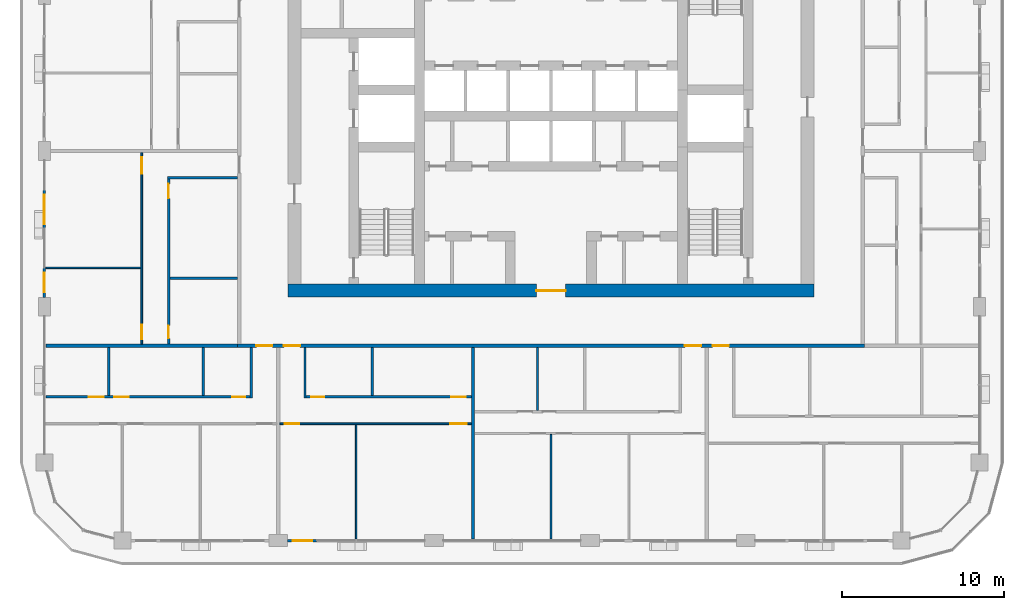
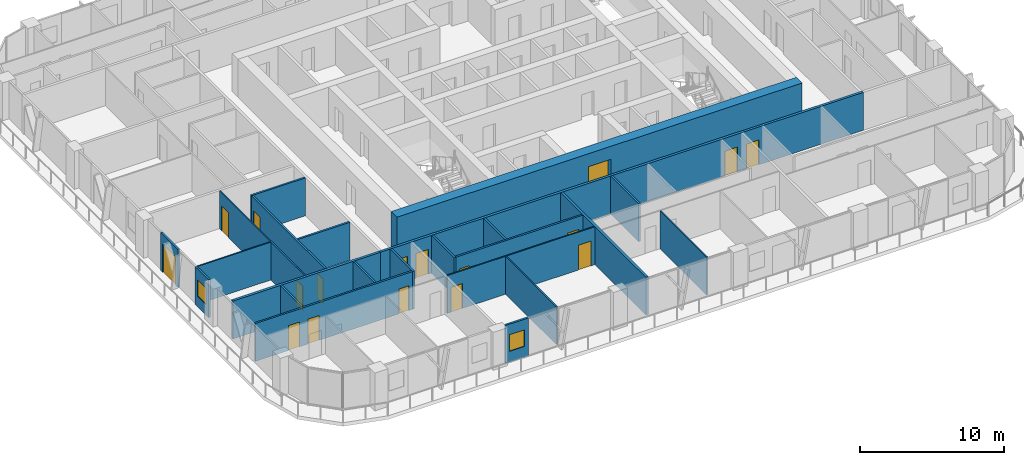
# One storey, part 9 of 22: 23 walls, 17 doors, 2 windows, 19 openings.
"""IFC4 building model written with IfcOpenShell, lengths in metres."""

from ifc_helpers import new_model, si_unit, direction, frame, frame_2d, origin, place, context, subcontext, project, spatial, rectangle, extrude, material, layer, layer_set, type_object, element, fill, save


model = new_model("IFC4")

# Units and contexts
model_context = context("Model", 3, precision=1e-05, world=origin(), true_north=direction((0.0, 1.0)))
body_context = subcontext(model_context, "Body", "Model", "MODEL_VIEW")
ifc_project = project(units=[si_unit("LENGTHUNIT", "METRE"), si_unit("AREAUNIT", "SQUARE_METRE"), si_unit("VOLUMEUNIT", "CUBIC_METRE"), si_unit("PLANEANGLEUNIT", "RADIAN"), si_unit("MASSUNIT", "GRAM", prefix="KILO")], contexts=[model_context])

# Site, building, storey
site_placement = place(None, origin())
site = spatial("IfcSite", under=ifc_project, at=site_placement, CompositionType="ELEMENT")
building_placement = place(site_placement, origin())
building = spatial("IfcBuilding", under=site, at=building_placement, Name="Madar Terraces", CompositionType="ELEMENT")
storey_placement = place(building_placement, frame((0.0, 0.0, 156.0)))
storey = spatial("IfcBuildingStorey", under=building, at=storey_placement, Name="L40", CompositionType="ELEMENT", Elevation=156.0)

# Wall, opening, door
ifc_material_1 = material(Name="Concrete C70/85", Category="concrete")
ifc_layer_1 = layer(ifc_material_1, 0.800048828125)
ifc_layer_set_1 = layer_set([ifc_layer_1], Name="Concrete C70/85 (CRW3 RC wall 800)")
wall_type_1 = type_object("IfcWallType", Name="CRW3 RC wall 800", PredefinedType="SHEAR", material=ifc_layer_set_1)
wall_1_placement = place(storey_placement, frame((15.0, 15.39990234375, 0.0), z_axis=(0.0, 0.0, 1.0), x_axis=(1.0, 0.0, 0.0)))
wall_1 = element("IfcWall", 1, at=wall_1_placement, inside=storey, type_object=wall_type_1, Name="CORE OUTER WALL", PredefinedType="SHEAR", context=body_context, shape_type="SweptSolid", body=[
    extrude(rectangle(XDim=32.39990234375, YDim=0.800048828125, at=frame_2d((16.199951171875, 0.0))), origin(), (0.0, 0.0, 1.0), 3.199951171875),
])
opening_1_placement = place(wall_1_placement, frame((15.300048828125, 0.0, 0.0)))
opening_1 = element("IfcOpeningElement", 2, at=opening_1_placement, cuts=wall_1, Name="Opening KD1", PredefinedType="OPENING", context=body_context, shape_type="SweptSolid", body=[
    extrude(rectangle(XDim=1.800048828125, YDim=2.10009765625, at=frame_2d((0.89990234375, 1.050048828125))), frame((0.0, 0.409912109375, 0.0), z_axis=(0.0, -1.0, 0.0), x_axis=(1.0, 0.0, 0.0)), (0.0, 0.0, 1.0), 0.820068359375),
])
ifc_material_2 = material(Name="Steel door leaf", Category="steel")
door_type_1 = type_object("IfcDoorType", Name="Lobby door pair 1800 x 2100", OperationType="DOUBLE_DOOR_SINGLE_SWING", PredefinedType="DOOR", material=ifc_material_2)
door_1_placement = place(opening_1_placement, frame((1.800048828125, 0.0, 0.0), z_axis=(0.0, 0.0, 1.0), x_axis=(-1.0, 0.0, 0.0)))
door_1 = element("IfcDoor", 3, at=door_1_placement, inside=storey, type_object=door_type_1, Name="LIFT LOBBY DOOR", OperationType="DOUBLE_DOOR_SINGLE_SWING", OverallHeight=2.10009765625, OverallWidth=1.800048828125, PredefinedType="DOOR", context=body_context, shape_type="SweptSolid", body=[
    extrude(rectangle(XDim=1.800048828125, YDim=2.10009765625, at=frame_2d((0.89990234375, 1.050048828125))), frame((0.0, 0.02490234375, 0.0), z_axis=(0.0, -1.0, 0.0), x_axis=(1.0, 0.0, 0.0)), (0.0, 0.0, 1.0), 0.050048828125),
])
fill(opening_1, door_1)

# Wall, opening, window
ifc_material_3 = material(Name="Aluminium composite panel, black, over insulated backing", Category="aluminium")
ifc_layer_2 = layer(ifc_material_3, 0.14990234375)
ifc_layer_set_2 = layer_set([ifc_layer_2], Name="Facade bay panel 150")
wall_type_2 = type_object("IfcWallType", Name="Facade bay panel 150", PredefinedType="SOLIDWALL", material=ifc_layer_set_2)
wall_2_placement = place(storey_placement, frame((14.97509765625, 0.0, 0.0), z_axis=(0.0, 0.0, 1.0), x_axis=(1.0, 0.0, 0.0)))
wall_2 = element("IfcWall", 4, at=wall_2_placement, inside=storey, type_object=wall_type_2, Name="Facade bay panel", PredefinedType="SOLIDWALL", context=body_context, shape_type="SweptSolid", body=[
    extrude(rectangle(XDim=1.824951171875, YDim=0.14990234375, at=frame_2d((0.91259765625, 0.0))), origin(), (0.0, 0.0, 1.0), 3.199951171875),
])
opening_2_placement = place(wall_2_placement, frame((0.3125, 0.0, 0.89990234375)))
opening_2 = element("IfcOpeningElement", 5, at=opening_2_placement, cuts=wall_2, Name="Opening W1", PredefinedType="OPENING", context=body_context, shape_type="SweptSolid", body=[
    extrude(rectangle(XDim=1.199951171875, YDim=1.39990234375, at=frame_2d((0.60009765625, 0.699951171875))), frame((0.0, 0.0849609375, 0.0), z_axis=(0.0, -1.0, 0.0), x_axis=(1.0, 0.0, 0.0)), (0.0, 0.0, 1.0), 0.169921875),
])
ifc_material_4 = material(Name="Glass, clear, with black aluminium frame", Category="aluminium")
window_type = type_object("IfcWindowType", Name="Vent window 1200 x 1400", PartitioningType="SINGLE_PANEL", PredefinedType="WINDOW", material=ifc_material_4)
window_1_placement = place(opening_2_placement, origin())
window_1 = element("IfcWindow", 6, at=window_1_placement, inside=storey, type_object=window_type, Name="Operable vent window", OverallHeight=1.39990234375, OverallWidth=1.199951171875, PartitioningType="SINGLE_PANEL", PredefinedType="WINDOW", context=body_context, shape_type="SweptSolid", body=[
    extrude(rectangle(XDim=1.199951171875, YDim=1.39990234375, at=frame_2d((0.60009765625, 0.699951171875))), frame((0.0, 0.030029296875, 0.0), z_axis=(0.0, -1.0, 0.0), x_axis=(1.0, 0.0, 0.0)), (0.0, 0.0, 1.0), 0.06005859375),
])
fill(opening_2, window_1)

# Wall, opening, door
wall_3_placement = place(storey_placement, frame((0.0, 21.60009765625, 0.0), z_axis=(0.0, 0.0, 1.0), x_axis=(0.0, -1.0, 0.0)))
wall_3 = element("IfcWall", 7, at=wall_3_placement, inside=storey, type_object=wall_type_2, Name="Facade bay panel", PredefinedType="SOLIDWALL", context=body_context, shape_type="SweptSolid", body=[
    extrude(rectangle(XDim=2.400146484375, YDim=0.14990234375, at=frame_2d((1.2001953125, 0.0))), origin(), (0.0, 0.0, 1.0), 3.199951171875),
])
opening_3_placement = place(wall_3_placement, frame((0.300048828125, 0.0, 0.0)))
opening_3 = element("IfcOpeningElement", 8, at=opening_3_placement, cuts=wall_3, Name="Opening ED1", PredefinedType="OPENING", context=body_context, shape_type="SweptSolid", body=[
    extrude(rectangle(XDim=1.800048828125, YDim=2.39990234375, at=frame_2d((0.89990234375, 1.199951171875))), frame((0.0, 0.0849609375, 0.0), z_axis=(0.0, -1.0, 0.0), x_axis=(1.0, 0.0, 0.0)), (0.0, 0.0, 1.0), 0.169921875),
])
ifc_material_5 = material(Name="Glass, clear, with black aluminium frame", Category="aluminium")
door_type_2 = type_object("IfcDoorType", Name="Balcony and terrace sliding door 1800 x 2400", OperationType="SLIDING_TO_LEFT", PredefinedType="DOOR", material=ifc_material_5)
door_2_placement = place(opening_3_placement, origin())
door_2 = element("IfcDoor", 9, at=door_2_placement, inside=storey, type_object=door_type_2, Name="Balcony door", OperationType="SLIDING_TO_LEFT", OverallHeight=2.39990234375, OverallWidth=1.800048828125, PredefinedType="DOOR", context=body_context, shape_type="SweptSolid", body=[
    extrude(rectangle(XDim=1.800048828125, YDim=2.39990234375, at=frame_2d((0.89990234375, 1.199951171875))), frame((0.0, 0.02490234375, 0.0), z_axis=(0.0, -1.0, 0.0), x_axis=(1.0, 0.0, 0.0)), (0.0, 0.0, 1.0), 0.050048828125),
])
fill(opening_3, door_2)

# Wall, opening, window
wall_4_placement = place(storey_placement, frame((0.0, 16.800048828125, 0.0), z_axis=(0.0, 0.0, 1.0), x_axis=(0.0, -1.0, 0.0)))
wall_4 = element("IfcWall", 10, at=wall_4_placement, inside=storey, type_object=wall_type_2, Name="Facade bay panel", PredefinedType="SOLIDWALL", context=body_context, shape_type="SweptSolid", body=[
    extrude(rectangle(XDim=1.824951171875, YDim=0.14990234375, at=frame_2d((0.91259765625, 0.0))), origin(), (0.0, 0.0, 1.0), 3.199951171875),
])
opening_4_placement = place(wall_4_placement, frame((0.3125, 0.0, 0.89990234375)))
opening_4 = element("IfcOpeningElement", 11, at=opening_4_placement, cuts=wall_4, Name="Opening W1", PredefinedType="OPENING", context=body_context, shape_type="SweptSolid", body=[
    extrude(rectangle(XDim=1.199951171875, YDim=1.39990234375, at=frame_2d((0.60009765625, 0.699951171875))), frame((0.0, 0.0849609375, 0.0), z_axis=(0.0, -1.0, 0.0), x_axis=(1.0, 0.0, 0.0)), (0.0, 0.0, 1.0), 0.169921875),
])
window_2_placement = place(opening_4_placement, origin())
window_2 = element("IfcWindow", 12, at=window_2_placement, inside=storey, type_object=window_type, Name="Operable vent window", OverallHeight=1.39990234375, OverallWidth=1.199951171875, PartitioningType="SINGLE_PANEL", PredefinedType="WINDOW", context=body_context, shape_type="SweptSolid", body=[
    extrude(rectangle(XDim=1.199951171875, YDim=1.39990234375, at=frame_2d((0.60009765625, 0.699951171875))), frame((0.0, 0.030029296875, 0.0), z_axis=(0.0, -1.0, 0.0), x_axis=(1.0, 0.0, 0.0)), (0.0, 0.0, 1.0), 0.06005859375),
])
fill(opening_4, window_2)

# Wall
ifc_material_6 = material(Name="Gypsum board on steel studs", Category="steel")
ifc_layer_3 = layer(ifc_material_6, 0.10009765625)
ifc_layer_set_3 = layer_set([ifc_layer_3], Name="Flat partition 100")
wall_type_3 = type_object("IfcWallType", Name="Flat partition 100", PredefinedType="PARTITIONING", material=ifc_layer_set_3)
wall_5_placement = place(storey_placement, frame((19.199951171875, 7.14990234375, 0.0), z_axis=(0.0, 0.0, 1.0), x_axis=(0.0, -1.0, 0.0)))
element("IfcWall", 13, at=wall_5_placement, inside=storey, type_object=wall_type_3, Name="Flat partition 100", PredefinedType="PARTITIONING", context=body_context, shape_type="SweptSolid", body=[
    extrude(rectangle(XDim=7.0498046875, YDim=0.10009765625, at=frame_2d((3.52490234375, 0.0))), origin(), (0.0, 0.0, 1.0), 3.199951171875),
])

# Wall, openings, doors
wall_6_placement = place(storey_placement, frame((26.300048828125, 7.199951171875, 0.0), z_axis=(0.0, 0.0, 1.0), x_axis=(-1.0, 0.0, 0.0)))
wall_6 = element("IfcWall", 14, at=wall_6_placement, inside=storey, type_object=wall_type_3, Name="Flat partition 100", PredefinedType="PARTITIONING", context=body_context, shape_type="SweptSolid", body=[
    extrude(rectangle(XDim=11.800048828125, YDim=0.10009765625, at=frame_2d((5.89990234375, 0.0))), origin(), (0.0, 0.0, 1.0), 3.199951171875),
])
opening_5_placement = place(wall_6_placement, frame((10.60009765625, 0.0, 0.0)))
opening_5 = element("IfcOpeningElement", 15, at=opening_5_placement, cuts=wall_6, Name="Opening D2", PredefinedType="OPENING", context=body_context, shape_type="SweptSolid", body=[
    extrude(rectangle(XDim=0.89990234375, YDim=2.10009765625, at=frame_2d((0.449951171875, 1.050048828125))), frame((0.0, 0.06005859375, 0.0), z_axis=(0.0, -1.0, 0.0), x_axis=(1.0, 0.0, 0.0)), (0.0, 0.0, 1.0), 0.1201171875),
])
opening_6_placement = place(wall_6_placement, frame((0.300048828125, 0.0, 0.0)))
opening_6 = element("IfcOpeningElement", 16, at=opening_6_placement, cuts=wall_6, Name="Opening D3", PredefinedType="OPENING", context=body_context, shape_type="SweptSolid", body=[
    extrude(rectangle(XDim=1.0, YDim=2.10009765625, at=frame_2d((0.5, 1.050048828125))), frame((0.0, 0.06005859375, 0.0), z_axis=(0.0, -1.0, 0.0), x_axis=(1.0, 0.0, 0.0)), (0.0, 0.0, 1.0), 0.1201171875),
])
ifc_material_7 = material(Name="Timber door leaf", Category="wood")
door_type_3 = type_object("IfcDoorType", Name="Flat living room door 1000", OperationType="NOTDEFINED", PredefinedType="DOOR", material=ifc_material_7)
door_3_placement = place(opening_6_placement, origin())
door_3 = element("IfcDoor", 17, at=door_3_placement, inside=storey, type_object=door_type_3, Name="Flat living room door 1000", OperationType="SINGLE_SWING_LEFT", OverallHeight=2.10009765625, OverallWidth=1.0, PredefinedType="DOOR", context=body_context, shape_type="SweptSolid", body=[
    extrude(rectangle(XDim=1.0, YDim=2.10009765625, at=frame_2d((0.5, 1.050048828125))), frame((0.0, 0.02490234375, 0.0), z_axis=(0.0, -1.0, 0.0), x_axis=(1.0, 0.0, 0.0)), (0.0, 0.0, 1.0), 0.050048828125),
])
fill(opening_6, door_3)
ifc_material_8 = material(Name="Timber door leaf", Category="wood")
door_type_4 = type_object("IfcDoorType", Name="Flat room door 900", OperationType="NOTDEFINED", PredefinedType="DOOR", material=ifc_material_8)
door_4_placement = place(opening_5_placement, origin())
door_4 = element("IfcDoor", 18, at=door_4_placement, inside=storey, type_object=door_type_4, Name="Flat room door 900", OperationType="SINGLE_SWING_RIGHT", OverallHeight=2.10009765625, OverallWidth=0.89990234375, PredefinedType="DOOR", context=body_context, shape_type="SweptSolid", body=[
    extrude(rectangle(XDim=0.89990234375, YDim=2.10009765625, at=frame_2d((0.449951171875, 1.050048828125))), frame((0.0, 0.02490234375, 0.0), z_axis=(0.0, -1.0, 0.0), x_axis=(1.0, 0.0, 0.0)), (0.0, 0.0, 1.0), 0.050048828125),
])
fill(opening_5, door_4)

# Walls
wall_7_placement = place(storey_placement, frame((31.199951171875, 6.550048828125, 0.0), z_axis=(0.0, 0.0, 1.0), x_axis=(0.0, -1.0, 0.0)))
element("IfcWall", 19, at=wall_7_placement, inside=storey, type_object=wall_type_3, Name="Flat partition 100", PredefinedType="PARTITIONING", context=body_context, shape_type="SweptSolid", body=[
    extrude(rectangle(XDim=6.449951171875, YDim=0.10009765625, at=frame_2d((3.22509765625, 0.0))), origin(), (0.0, 0.0, 1.0), 3.199951171875),
])
wall_8_placement = place(storey_placement, frame((5.949951171875, 16.800048828125, 0.0), z_axis=(0.0, 0.0, 1.0), x_axis=(-1.0, 0.0, 0.0)))
element("IfcWall", 20, at=wall_8_placement, inside=storey, type_object=wall_type_3, Name="Flat partition 100", PredefinedType="PARTITIONING", context=body_context, shape_type="SweptSolid", body=[
    extrude(rectangle(XDim=5.849853515625, YDim=0.10009765625, at=frame_2d((2.9248046875, 0.0))), origin(), (0.0, 0.0, 1.0), 3.199951171875),
])

# Wall, openings, doors
wall_9_placement = place(storey_placement, frame((6.0, 12.10009765625, 0.0), z_axis=(0.0, 0.0, 1.0), x_axis=(0.0, 1.0, 0.0)))
wall_9 = element("IfcWall", 21, at=wall_9_placement, inside=storey, type_object=wall_type_3, Name="Flat partition 100", PredefinedType="PARTITIONING", context=body_context, shape_type="SweptSolid", body=[
    extrude(rectangle(XDim=11.7998046875, YDim=0.10009765625, at=frame_2d((5.89990234375, 0.0))), origin(), (0.0, 0.0, 1.0), 3.199951171875),
])
opening_7_placement = place(wall_9_placement, frame((10.5, 0.0, 0.0)))
opening_7 = element("IfcOpeningElement", 22, at=opening_7_placement, cuts=wall_9, Name="Opening D3", PredefinedType="OPENING", context=body_context, shape_type="SweptSolid", body=[
    extrude(rectangle(XDim=1.0, YDim=2.10009765625, at=frame_2d((0.5, 1.050048828125))), frame((0.0, 0.06005859375, 0.0), z_axis=(0.0, -1.0, 0.0), x_axis=(1.0, 0.0, 0.0)), (0.0, 0.0, 1.0), 0.1201171875),
])
opening_8_placement = place(wall_9_placement, frame((0.300048828125, 0.0, 0.0)))
opening_8 = element("IfcOpeningElement", 23, at=opening_8_placement, cuts=wall_9, Name="Opening D2", PredefinedType="OPENING", context=body_context, shape_type="SweptSolid", body=[
    extrude(rectangle(XDim=0.89990234375, YDim=2.10009765625, at=frame_2d((0.449951171875, 1.050048828125))), frame((0.0, 0.06005859375, 0.0), z_axis=(0.0, -1.0, 0.0), x_axis=(1.0, 0.0, 0.0)), (0.0, 0.0, 1.0), 0.1201171875),
])
door_5_placement = place(opening_7_placement, origin())
door_5 = element("IfcDoor", 24, at=door_5_placement, inside=storey, type_object=door_type_3, Name="Flat living room door 1000", OperationType="SINGLE_SWING_RIGHT", OverallHeight=2.10009765625, OverallWidth=1.0, PredefinedType="DOOR", context=body_context, shape_type="SweptSolid", body=[
    extrude(rectangle(XDim=1.0, YDim=2.10009765625, at=frame_2d((0.5, 1.050048828125))), frame((0.0, 0.02490234375, 0.0), z_axis=(0.0, -1.0, 0.0), x_axis=(1.0, 0.0, 0.0)), (0.0, 0.0, 1.0), 0.050048828125),
])
fill(opening_7, door_5)
door_6_placement = place(opening_8_placement, origin())
door_6 = element("IfcDoor", 25, at=door_6_placement, inside=storey, type_object=door_type_4, Name="Flat room door 900", OperationType="SINGLE_SWING_LEFT", OverallHeight=2.10009765625, OverallWidth=0.89990234375, PredefinedType="DOOR", context=body_context, shape_type="SweptSolid", body=[
    extrude(rectangle(XDim=0.89990234375, YDim=2.10009765625, at=frame_2d((0.449951171875, 1.050048828125))), frame((0.0, 0.02490234375, 0.0), z_axis=(0.0, -1.0, 0.0), x_axis=(1.0, 0.0, 0.0)), (0.0, 0.0, 1.0), 0.050048828125),
])
fill(opening_8, door_6)

ifc_material_9 = material(Name="Lightweight blockwork", Category="masonry")
ifc_layer_4 = layer(ifc_material_9, 0.199951171875)
ifc_layer_set_4 = layer_set([ifc_layer_4], Name="Flat party and entrance wall 200")
wall_type_4 = type_object("IfcWallType", Name="Flat party and entrance wall 200", PredefinedType="PARTITIONING", material=ifc_layer_set_4)
wall_10_placement = place(storey_placement, frame((50.5, 12.0, 0.0), z_axis=(0.0, 0.0, 1.0), x_axis=(-1.0, 0.0, 0.0)))
wall_10 = element("IfcWall", 26, at=wall_10_placement, inside=storey, type_object=wall_type_4, Name="Flat party and entrance wall 200", PredefinedType="PARTITIONING", context=body_context, shape_type="SweptSolid", body=[
    extrude(rectangle(XDim=38.60009765625, YDim=0.199951171875, at=frame_2d((19.300048828125, 0.0))), origin(), (0.0, 0.0, 1.0), 3.199951171875),
])
opening_9_placement = place(wall_10_placement, frame((36.449951171875, 0.0, 0.0)))
opening_9 = element("IfcOpeningElement", 27, at=opening_9_placement, cuts=wall_10, Name="Opening D1", PredefinedType="OPENING", context=body_context, shape_type="SweptSolid", body=[
    extrude(rectangle(XDim=1.0, YDim=2.10009765625, at=frame_2d((0.5, 1.050048828125))), frame((0.0, 0.10986328125, 0.0), z_axis=(0.0, -1.0, 0.0), x_axis=(1.0, 0.0, 0.0)), (0.0, 0.0, 1.0), 0.219970703125),
])
opening_10_placement = place(wall_10_placement, frame((34.75, 0.0, 0.0)))
opening_10 = element("IfcOpeningElement", 28, at=opening_10_placement, cuts=wall_10, Name="Opening D1", PredefinedType="OPENING", context=body_context, shape_type="SweptSolid", body=[
    extrude(rectangle(XDim=1.0, YDim=2.10009765625, at=frame_2d((0.5, 1.050048828125))), frame((0.0, 0.10986328125, 0.0), z_axis=(0.0, -1.0, 0.0), x_axis=(1.0, 0.0, 0.0)), (0.0, 0.0, 1.0), 0.219970703125),
])
opening_11_placement = place(wall_10_placement, frame((10.050048828125, 0.0, 0.0)))
opening_11 = element("IfcOpeningElement", 29, at=opening_11_placement, cuts=wall_10, Name="Opening D1", PredefinedType="OPENING", context=body_context, shape_type="SweptSolid", body=[
    extrude(rectangle(XDim=1.0, YDim=2.10009765625, at=frame_2d((0.5, 1.050048828125))), frame((0.0, 0.10986328125, 0.0), z_axis=(0.0, -1.0, 0.0), x_axis=(1.0, 0.0, 0.0)), (0.0, 0.0, 1.0), 0.219970703125),
])
opening_12_placement = place(wall_10_placement, frame((8.35009765625, 0.0, 0.0)))
opening_12 = element("IfcOpeningElement", 30, at=opening_12_placement, cuts=wall_10, Name="Opening D1", PredefinedType="OPENING", context=body_context, shape_type="SweptSolid", body=[
    extrude(rectangle(XDim=1.0, YDim=2.10009765625, at=frame_2d((0.5, 1.050048828125))), frame((0.0, 0.10986328125, 0.0), z_axis=(0.0, -1.0, 0.0), x_axis=(1.0, 0.0, 0.0)), (0.0, 0.0, 1.0), 0.219970703125),
])
ifc_material_10 = material(Name="Timber fire door leaf", Category="wood")
door_type_5 = type_object("IfcDoorType", Name="Flat entrance door 1000 FD30S", OperationType="NOTDEFINED", PredefinedType="DOOR", material=ifc_material_10)
door_7_placement = place(opening_9_placement, origin())
door_7 = element("IfcDoor", 31, at=door_7_placement, inside=storey, type_object=door_type_5, Name="Flat entrance door 1000 FD30S", OperationType="SINGLE_SWING_LEFT", OverallHeight=2.10009765625, OverallWidth=1.0, PredefinedType="DOOR", context=body_context, shape_type="SweptSolid", body=[
    extrude(rectangle(XDim=1.0, YDim=2.10009765625, at=frame_2d((0.5, 1.050048828125))), frame((0.0, 0.02490234375, 0.0), z_axis=(0.0, -1.0, 0.0), x_axis=(1.0, 0.0, 0.0)), (0.0, 0.0, 1.0), 0.050048828125),
])
fill(opening_9, door_7)
door_8_placement = place(opening_10_placement, origin())
door_8 = element("IfcDoor", 32, at=door_8_placement, inside=storey, type_object=door_type_5, Name="Flat entrance door 1000 FD30S", OperationType="SINGLE_SWING_RIGHT", OverallHeight=2.10009765625, OverallWidth=1.0, PredefinedType="DOOR", context=body_context, shape_type="SweptSolid", body=[
    extrude(rectangle(XDim=1.0, YDim=2.10009765625, at=frame_2d((0.5, 1.050048828125))), frame((0.0, 0.02490234375, 0.0), z_axis=(0.0, -1.0, 0.0), x_axis=(1.0, 0.0, 0.0)), (0.0, 0.0, 1.0), 0.050048828125),
])
fill(opening_10, door_8)
door_9_placement = place(opening_11_placement, origin())
door_9 = element("IfcDoor", 33, at=door_9_placement, inside=storey, type_object=door_type_5, Name="Flat entrance door 1000 FD30S", OperationType="SINGLE_SWING_LEFT", OverallHeight=2.10009765625, OverallWidth=1.0, PredefinedType="DOOR", context=body_context, shape_type="SweptSolid", body=[
    extrude(rectangle(XDim=1.0, YDim=2.10009765625, at=frame_2d((0.5, 1.050048828125))), frame((0.0, 0.02490234375, 0.0), z_axis=(0.0, -1.0, 0.0), x_axis=(1.0, 0.0, 0.0)), (0.0, 0.0, 1.0), 0.050048828125),
])
fill(opening_11, door_9)
door_10_placement = place(opening_12_placement, origin())
door_10 = element("IfcDoor", 34, at=door_10_placement, inside=storey, type_object=door_type_5, Name="Flat entrance door 1000 FD30S", OperationType="SINGLE_SWING_RIGHT", OverallHeight=2.10009765625, OverallWidth=1.0, PredefinedType="DOOR", context=body_context, shape_type="SweptSolid", body=[
    extrude(rectangle(XDim=1.0, YDim=2.10009765625, at=frame_2d((0.5, 1.050048828125))), frame((0.0, 0.02490234375, 0.0), z_axis=(0.0, -1.0, 0.0), x_axis=(1.0, 0.0, 0.0)), (0.0, 0.0, 1.0), 0.050048828125),
])
fill(opening_12, door_10)

# Walls
for number, where, z_axis, x_axis, name in (
    (35, (0.10009765625, 12.0, 0.0), (0.0, 0.0, 1.0), (1.0, 0.0, 0.0), "Flat party and entrance wall 200"),
    (36, (26.39990234375, 11.89990234375, 0.0), (0.0, 0.0, 1.0), (0.0, -1.0, 0.0), "Flat party and entrance wall 200"),
):
    element("IfcWall", number, at=place(storey_placement, frame(where, z_axis=z_axis, x_axis=x_axis)), inside=storey, type_object=wall_type_4, Name=name, PredefinedType="PARTITIONING", context=body_context, shape_type="SweptSolid", body=[
        extrude(rectangle(XDim=11.7998046875, YDim=0.199951171875, at=frame_2d((5.89990234375, 0.0))), origin(), (0.0, 0.0, 1.0), 3.199951171875),
    ])
ifc_material_11 = material(Name="Lightweight blockwork", Category="masonry")
ifc_layer_5 = layer(ifc_material_11, 0.14990234375)
ifc_layer_set_5 = layer_set([ifc_layer_5], Name="Flat wet-room partition 150")
wall_type_5 = type_object("IfcWallType", Name="Flat wet-room partition 150", PredefinedType="PARTITIONING", material=ifc_layer_set_5)
for number, where, z_axis, x_axis, name in (
    (37, (9.773193359375, 11.89990234375, 0.0), (0.0, 0.0, 1.0), (0.0, -1.0, 0.0), "Flat wet-room partition 150"),
    (38, (3.96923828125, 11.89990234375, 0.0), (0.0, 0.0, 1.0), (0.0, -1.0, 0.0), "Flat wet-room partition 150"),
):
    element("IfcWall", number, at=place(storey_placement, frame(where, z_axis=z_axis, x_axis=x_axis)), inside=storey, type_object=wall_type_5, Name=name, PredefinedType="PARTITIONING", context=body_context, shape_type="SweptSolid", body=[
        extrude(rectangle(XDim=2.974853515625, YDim=0.14990234375, at=frame_2d((1.4873046875, 0.0))), origin(), (0.0, 0.0, 1.0), 3.199951171875),
    ])
wall_11_placement = place(storey_placement, frame((12.75, 11.89990234375, 0.0), z_axis=(0.0, 0.0, 1.0), x_axis=(0.0, -1.0, 0.0)))
element("IfcWall", 39, at=wall_11_placement, inside=storey, type_object=wall_type_5, Name="Flat wet-room partition 150", PredefinedType="PARTITIONING", context=body_context, shape_type="SweptSolid", body=[
    extrude(rectangle(XDim=3.125, YDim=0.14990234375, at=frame_2d((1.5625, 0.0))), origin(), (0.0, 0.0, 1.0), 3.199951171875),
])

# Wall, openings, doors
wall_12_placement = place(storey_placement, frame((0.10009765625, 8.85009765625, 0.0), z_axis=(0.0, 0.0, 1.0), x_axis=(1.0, 0.0, 0.0)))
wall_12 = element("IfcWall", 40, at=wall_12_placement, inside=storey, type_object=wall_type_5, Name="Flat wet-room partition 150", PredefinedType="PARTITIONING", context=body_context, shape_type="SweptSolid", body=[
    extrude(rectangle(XDim=12.574951171875, YDim=0.14990234375, at=frame_2d((6.28759765625, 0.0))), origin(), (0.0, 0.0, 1.0), 3.199951171875),
])
opening_13_placement = place(wall_12_placement, frame((11.47509765625, 0.0, 0.0)))
opening_13 = element("IfcOpeningElement", 41, at=opening_13_placement, cuts=wall_12, Name="Opening D4", PredefinedType="OPENING", context=body_context, shape_type="SweptSolid", body=[
    extrude(rectangle(XDim=0.800048828125, YDim=2.10009765625, at=frame_2d((0.39990234375, 1.050048828125))), frame((0.0, 0.0849609375, 0.0), z_axis=(0.0, -1.0, 0.0), x_axis=(1.0, 0.0, 0.0)), (0.0, 0.0, 1.0), 0.169921875),
])
opening_14_placement = place(wall_12_placement, frame((4.1943359375, 0.0, 0.0)))
opening_14 = element("IfcOpeningElement", 42, at=opening_14_placement, cuts=wall_12, Name="Opening D2", PredefinedType="OPENING", context=body_context, shape_type="SweptSolid", body=[
    extrude(rectangle(XDim=0.89990234375, YDim=2.10009765625, at=frame_2d((0.449951171875, 1.050048828125))), frame((0.0, 0.0849609375, 0.0), z_axis=(0.0, -1.0, 0.0), x_axis=(1.0, 0.0, 0.0)), (0.0, 0.0, 1.0), 0.169921875),
])
opening_15_placement = place(wall_12_placement, frame((2.644287109375, 0.0, 0.0)))
opening_15 = element("IfcOpeningElement", 43, at=opening_15_placement, cuts=wall_12, Name="Opening D5", PredefinedType="OPENING", context=body_context, shape_type="SweptSolid", body=[
    extrude(rectangle(XDim=0.89990234375, YDim=2.10009765625, at=frame_2d((0.449951171875, 1.050048828125))), frame((0.0, 0.0849609375, 0.0), z_axis=(0.0, -1.0, 0.0), x_axis=(1.0, 0.0, 0.0)), (0.0, 0.0, 1.0), 0.169921875),
])
ifc_material_12 = material(Name="Timber door leaf", Category="wood")
door_type_6 = type_object("IfcDoorType", Name="Flat accessible bathroom door 900", OperationType="NOTDEFINED", PredefinedType="DOOR", material=ifc_material_12)
door_11_placement = place(opening_15_placement, origin())
door_11 = element("IfcDoor", 44, at=door_11_placement, inside=storey, type_object=door_type_6, Name="Flat accessible bathroom door 900", OperationType="SINGLE_SWING_RIGHT", OverallHeight=2.10009765625, OverallWidth=0.89990234375, PredefinedType="DOOR", context=body_context, shape_type="SweptSolid", body=[
    extrude(rectangle(XDim=0.89990234375, YDim=2.10009765625, at=frame_2d((0.449951171875, 1.050048828125))), frame((0.0, 0.02490234375, 0.0), z_axis=(0.0, -1.0, 0.0), x_axis=(1.0, 0.0, 0.0)), (0.0, 0.0, 1.0), 0.050048828125),
])
fill(opening_15, door_11)
ifc_material_13 = material(Name="Timber door leaf", Category="wood")
door_type_7 = type_object("IfcDoorType", Name="Flat bathroom door 800", OperationType="NOTDEFINED", PredefinedType="DOOR", material=ifc_material_13)
door_12_placement = place(opening_13_placement, origin())
door_12 = element("IfcDoor", 45, at=door_12_placement, inside=storey, type_object=door_type_7, Name="Flat bathroom door 800", OperationType="SINGLE_SWING_RIGHT", OverallHeight=2.10009765625, OverallWidth=0.800048828125, PredefinedType="DOOR", context=body_context, shape_type="SweptSolid", body=[
    extrude(rectangle(XDim=0.800048828125, YDim=2.10009765625, at=frame_2d((0.39990234375, 1.050048828125))), frame((0.0, 0.02490234375, 0.0), z_axis=(0.0, -1.0, 0.0), x_axis=(1.0, 0.0, 0.0)), (0.0, 0.0, 1.0), 0.050048828125),
])
fill(opening_13, door_12)
door_13_placement = place(opening_14_placement, origin())
door_13 = element("IfcDoor", 46, at=door_13_placement, inside=storey, type_object=door_type_4, Name="Flat room door 900", OperationType="SINGLE_SWING_LEFT", OverallHeight=2.10009765625, OverallWidth=0.89990234375, PredefinedType="DOOR", context=body_context, shape_type="SweptSolid", body=[
    extrude(rectangle(XDim=0.89990234375, YDim=2.10009765625, at=frame_2d((0.449951171875, 1.050048828125))), frame((0.0, 0.02490234375, 0.0), z_axis=(0.0, -1.0, 0.0), x_axis=(1.0, 0.0, 0.0)), (0.0, 0.0, 1.0), 0.050048828125),
])
fill(opening_14, door_13)

# Walls
wall_13_placement = place(storey_placement, frame((20.195068359375, 11.89990234375, 0.0), z_axis=(0.0, 0.0, 1.0), x_axis=(0.0, -1.0, 0.0)))
element("IfcWall", 47, at=wall_13_placement, inside=storey, type_object=wall_type_5, Name="Flat wet-room partition 150", PredefinedType="PARTITIONING", context=body_context, shape_type="SweptSolid", body=[
    extrude(rectangle(XDim=2.974853515625, YDim=0.14990234375, at=frame_2d((1.4873046875, 0.0))), origin(), (0.0, 0.0, 1.0), 3.199951171875),
])
wall_14_placement = place(storey_placement, frame((16.050048828125, 11.89990234375, 0.0), z_axis=(0.0, 0.0, 1.0), x_axis=(0.0, -1.0, 0.0)))
element("IfcWall", 48, at=wall_14_placement, inside=storey, type_object=wall_type_5, Name="Flat wet-room partition 150", PredefinedType="PARTITIONING", context=body_context, shape_type="SweptSolid", body=[
    extrude(rectangle(XDim=3.125, YDim=0.14990234375, at=frame_2d((1.5625, 0.0))), origin(), (0.0, 0.0, 1.0), 3.199951171875),
])

# Wall, openings, doors
wall_15_placement = place(storey_placement, frame((16.125, 8.85009765625, 0.0), z_axis=(0.0, 0.0, 1.0), x_axis=(1.0, 0.0, 0.0)))
wall_15 = element("IfcWall", 49, at=wall_15_placement, inside=storey, type_object=wall_type_5, Name="Flat wet-room partition 150", PredefinedType="PARTITIONING", context=body_context, shape_type="SweptSolid", body=[
    extrude(rectangle(XDim=10.175048828125, YDim=0.14990234375, at=frame_2d((5.08740234375, 0.0))), origin(), (0.0, 0.0, 1.0), 3.199951171875),
])
opening_16_placement = place(wall_15_placement, frame((0.300048828125, 0.0, 0.0)))
opening_16 = element("IfcOpeningElement", 50, at=opening_16_placement, cuts=wall_15, Name="Opening D4", PredefinedType="OPENING", context=body_context, shape_type="SweptSolid", body=[
    extrude(rectangle(XDim=0.800048828125, YDim=2.10009765625, at=frame_2d((0.39990234375, 1.050048828125))), frame((0.0, 0.0849609375, 0.0), z_axis=(0.0, -1.0, 0.0), x_axis=(1.0, 0.0, 0.0)), (0.0, 0.0, 1.0), 0.169921875),
])
opening_17_placement = place(wall_15_placement, frame((8.925048828125, 0.0, 0.0)))
opening_17 = element("IfcOpeningElement", 51, at=opening_17_placement, cuts=wall_15, Name="Opening D2", PredefinedType="OPENING", context=body_context, shape_type="SweptSolid", body=[
    extrude(rectangle(XDim=0.89990234375, YDim=2.10009765625, at=frame_2d((0.449951171875, 1.050048828125))), frame((0.0, 0.0849609375, 0.0), z_axis=(0.0, -1.0, 0.0), x_axis=(1.0, 0.0, 0.0)), (0.0, 0.0, 1.0), 0.169921875),
])
door_14_placement = place(opening_16_placement, origin())
door_14 = element("IfcDoor", 52, at=door_14_placement, inside=storey, type_object=door_type_7, Name="Flat bathroom door 800", OperationType="SINGLE_SWING_LEFT", OverallHeight=2.10009765625, OverallWidth=0.800048828125, PredefinedType="DOOR", context=body_context, shape_type="SweptSolid", body=[
    extrude(rectangle(XDim=0.800048828125, YDim=2.10009765625, at=frame_2d((0.39990234375, 1.050048828125))), frame((0.0, 0.02490234375, 0.0), z_axis=(0.0, -1.0, 0.0), x_axis=(1.0, 0.0, 0.0)), (0.0, 0.0, 1.0), 0.050048828125),
])
fill(opening_16, door_14)
door_15_placement = place(opening_17_placement, origin())
door_15 = element("IfcDoor", 53, at=door_15_placement, inside=storey, type_object=door_type_4, Name="Flat room door 900", OperationType="SINGLE_SWING_RIGHT", OverallHeight=2.10009765625, OverallWidth=0.89990234375, PredefinedType="DOOR", context=body_context, shape_type="SweptSolid", body=[
    extrude(rectangle(XDim=0.89990234375, YDim=2.10009765625, at=frame_2d((0.449951171875, 1.050048828125))), frame((0.0, 0.02490234375, 0.0), z_axis=(0.0, -1.0, 0.0), x_axis=(1.0, 0.0, 0.0)), (0.0, 0.0, 1.0), 0.050048828125),
])
fill(opening_17, door_15)

# Walls
wall_16_placement = place(storey_placement, frame((30.369384765625, 11.89990234375, 0.0), z_axis=(0.0, 0.0, 1.0), x_axis=(0.0, -1.0, 0.0)))
element("IfcWall", 54, at=wall_16_placement, inside=storey, type_object=wall_type_5, Name="Flat wet-room partition 150", PredefinedType="PARTITIONING", context=body_context, shape_type="SweptSolid", body=[
    extrude(rectangle(XDim=3.875, YDim=0.14990234375, at=frame_2d((1.9375, 0.0))), origin(), (0.0, 0.0, 1.0), 3.199951171875),
])
wall_17_placement = place(storey_placement, frame((11.89990234375, 16.169921875, 0.0), z_axis=(0.0, 0.0, 1.0), x_axis=(-1.0, 0.0, 0.0)))
element("IfcWall", 55, at=wall_17_placement, inside=storey, type_object=wall_type_5, Name="Flat wet-room partition 150", PredefinedType="PARTITIONING", context=body_context, shape_type="SweptSolid", body=[
    extrude(rectangle(XDim=4.1748046875, YDim=0.14990234375, at=frame_2d((2.08740234375, 0.0))), origin(), (0.0, 0.0, 1.0), 3.199951171875),
])
wall_18_placement = place(storey_placement, frame((11.89990234375, 22.35009765625, 0.0), z_axis=(0.0, 0.0, 1.0), x_axis=(-1.0, 0.0, 0.0)))
element("IfcWall", 56, at=wall_18_placement, inside=storey, type_object=wall_type_5, Name="Flat wet-room partition 150", PredefinedType="PARTITIONING", context=body_context, shape_type="SweptSolid", body=[
    extrude(rectangle(XDim=4.324951171875, YDim=0.14990234375, at=frame_2d((2.16259765625, 0.0))), origin(), (0.0, 0.0, 1.0), 3.199951171875),
])

# Wall, openings, doors
wall_19_placement = place(storey_placement, frame((7.64990234375, 22.27490234375, 0.0), z_axis=(0.0, 0.0, 1.0), x_axis=(0.0, -1.0, 0.0)))
wall_19 = element("IfcWall", 57, at=wall_19_placement, inside=storey, type_object=wall_type_5, Name="Flat wet-room partition 150", PredefinedType="PARTITIONING", context=body_context, shape_type="SweptSolid", body=[
    extrude(rectangle(XDim=10.1748046875, YDim=0.14990234375, at=frame_2d((5.08740234375, 0.0))), origin(), (0.0, 0.0, 1.0), 3.199951171875),
])
opening_18_placement = place(wall_19_placement, frame((0.300048828125, 0.0, 0.0)))
opening_18 = element("IfcOpeningElement", 58, at=opening_18_placement, cuts=wall_19, Name="Opening D2", PredefinedType="OPENING", context=body_context, shape_type="SweptSolid", body=[
    extrude(rectangle(XDim=0.89990234375, YDim=2.10009765625, at=frame_2d((0.449951171875, 1.050048828125))), frame((0.0, 0.0849609375, 0.0), z_axis=(0.0, -1.0, 0.0), x_axis=(1.0, 0.0, 0.0)), (0.0, 0.0, 1.0), 0.169921875),
])
opening_19_placement = place(wall_19_placement, frame((9.02490234375, 0.0, 0.0)))
opening_19 = element("IfcOpeningElement", 59, at=opening_19_placement, cuts=wall_19, Name="Opening D4", PredefinedType="OPENING", context=body_context, shape_type="SweptSolid", body=[
    extrude(rectangle(XDim=0.800048828125, YDim=2.10009765625, at=frame_2d((0.39990234375, 1.050048828125))), frame((0.0, 0.0849609375, 0.0), z_axis=(0.0, -1.0, 0.0), x_axis=(1.0, 0.0, 0.0)), (0.0, 0.0, 1.0), 0.169921875),
])
door_16_placement = place(opening_19_placement, origin())
door_16 = element("IfcDoor", 60, at=door_16_placement, inside=storey, type_object=door_type_7, Name="Flat bathroom door 800", OperationType="SINGLE_SWING_RIGHT", OverallHeight=2.10009765625, OverallWidth=0.800048828125, PredefinedType="DOOR", context=body_context, shape_type="SweptSolid", body=[
    extrude(rectangle(XDim=0.800048828125, YDim=2.10009765625, at=frame_2d((0.39990234375, 1.050048828125))), frame((0.0, 0.02490234375, 0.0), z_axis=(0.0, -1.0, 0.0), x_axis=(1.0, 0.0, 0.0)), (0.0, 0.0, 1.0), 0.050048828125),
])
fill(opening_19, door_16)
door_17_placement = place(opening_18_placement, origin())
door_17 = element("IfcDoor", 61, at=door_17_placement, inside=storey, type_object=door_type_4, Name="Flat room door 900", OperationType="SINGLE_SWING_LEFT", OverallHeight=2.10009765625, OverallWidth=0.89990234375, PredefinedType="DOOR", context=body_context, shape_type="SweptSolid", body=[
    extrude(rectangle(XDim=0.89990234375, YDim=2.10009765625, at=frame_2d((0.449951171875, 1.050048828125))), frame((0.0, 0.02490234375, 0.0), z_axis=(0.0, -1.0, 0.0), x_axis=(1.0, 0.0, 0.0)), (0.0, 0.0, 1.0), 0.050048828125),
])
fill(opening_18, door_17)

save(model, "model.ifc")
